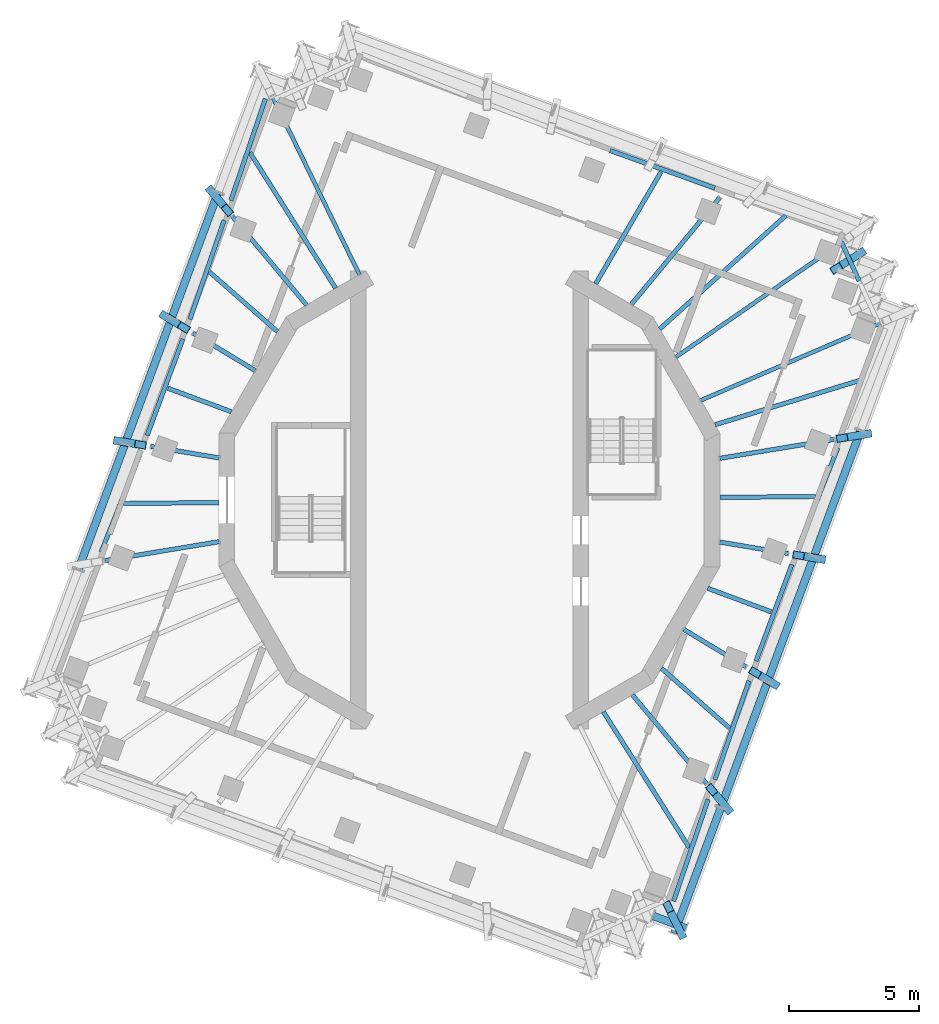
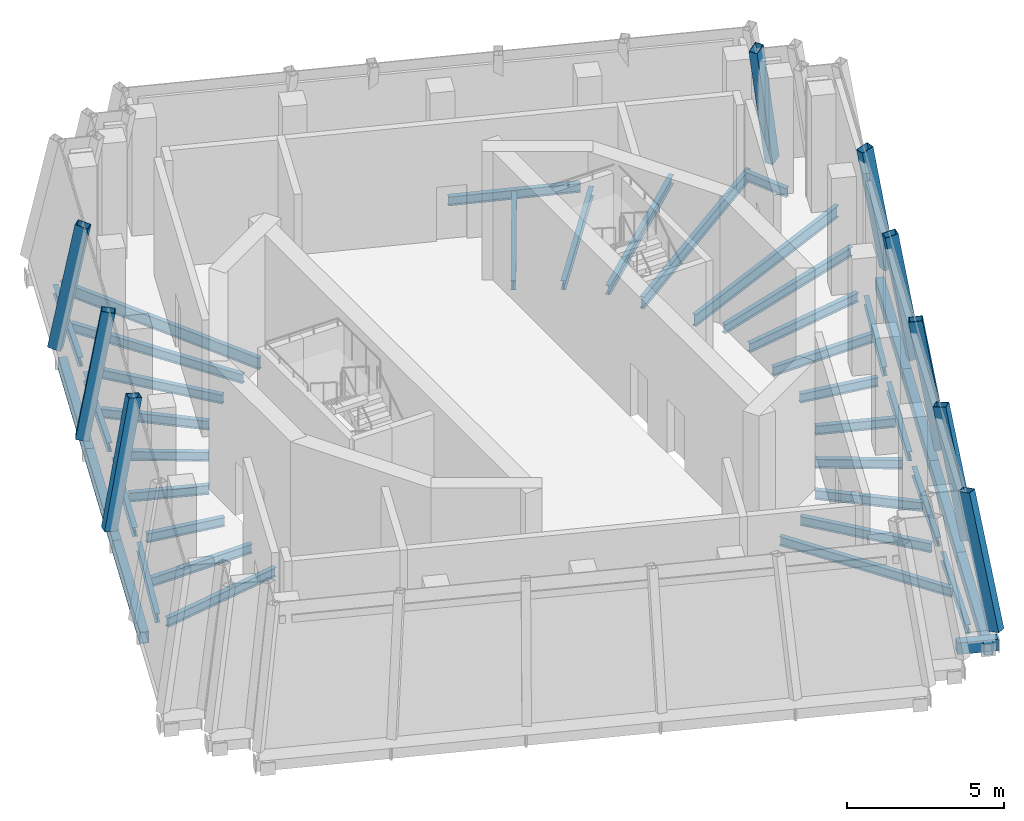
# One storey, part 2 of 13: 33 beams, 17 members, 10 elements without a shape of their own.
"""IFC4 building model written with IfcOpenShell, lengths in metres."""

from ifc_helpers import new_model, si_unit, direction, frame, origin, origin_2d, place, context, subcontext, project, spatial, hollow_rectangle, i_section, extrude, material, material_profile, profile_set, type_object, element, aggregate, save


model = new_model("IFC4")

# Units and contexts
model_context = context("Model", 3, precision=1e-05, world=origin(), true_north=direction((0.0, 1.0)))
body_context = subcontext(model_context, "Body", "Model", "MODEL_VIEW")
ifc_project = project(units=[si_unit("LENGTHUNIT", "METRE"), si_unit("AREAUNIT", "SQUARE_METRE"), si_unit("VOLUMEUNIT", "CUBIC_METRE"), si_unit("PLANEANGLEUNIT", "RADIAN"), si_unit("MASSUNIT", "GRAM", prefix="KILO")], contexts=[model_context])

# Site, building, storey
site_placement = place(None, origin())
site = spatial("IfcSite", under=ifc_project, at=site_placement, CompositionType="ELEMENT")
building_placement = place(site_placement, origin())
building = spatial("IfcBuilding", under=site, at=building_placement, Name="Cantera Rosa Tower", CompositionType="ELEMENT")
storey_placement = place(building_placement, frame((0.0, 0.0, 355.699951171875)))
storey = spatial("IfcBuildingStorey", under=building, at=storey_placement, Name="L80", CompositionType="ELEMENT", Elevation=355.699951171875)

# Curtain wall, member
ifc_material_1 = material(Name="Aluminium frame with clear glass", Category="aluminium")
curtain_wall_type = type_object("IfcCurtainWallType", Name="CW4 CROWN GLAZING", PredefinedType="NOTDEFINED", material=ifc_material_1)
curtain_wall_1_placement = place(storey_placement, origin())
curtain_wall_1 = element("IfcCurtainWall", 1, at=curtain_wall_1_placement, inside=storey, type_object=curtain_wall_type, Name="CW4 L80-11", PredefinedType="NOTDEFINED")
ifc_material_2 = material(Name="Steel S355J2 (EN 10025-2)", Category="steel")
ifc_material_profile_1 = material_profile(ifc_material_2, hollow_rectangle(XDim=0.300048828125, YDim=0.449951171875, WallThickness=0.01611328125, at=origin_2d()), Name="CROWN FRAME MULLION RHS 300x450x16")
ifc_profile_set_1 = profile_set([ifc_material_profile_1], Name="Steel S355J2 (EN 10025-2)")
member_type_1 = type_object("IfcMemberType", Name="CROWN FRAME MULLION RHS 300x450x16", PredefinedType="MULLION", material=ifc_profile_set_1)
member_1_placement = place(storey_placement, frame((-9.94873046875, 11.900634765625, 0.0), z_axis=(0.118528648195, -0.141754504764, 0.98278004657), x_axis=(0.767155870735, 0.641460731454, 0.0)))
member_1 = element("IfcMember", 2, at=member_1_placement, type_object=member_type_1, Name="CROWN FRAME rib L80-11", PredefinedType="MULLION", context=body_context, shape_type="SweptSolid", body=[
    extrude(hollow_rectangle(XDim=0.300048828125, YDim=0.449951171875, WallThickness=0.01611328125, at=origin_2d()), origin(), (0.0, 0.0, 1.0), 5.087646484375),
])

curtain_wall_2_placement = place(storey_placement, origin())
curtain_wall_2 = element("IfcCurtainWall", 3, at=curtain_wall_2_placement, inside=storey, type_object=curtain_wall_type, Name="CW4 L80-12", PredefinedType="NOTDEFINED")
member_2_placement = place(storey_placement, frame((-11.73291015625, 7.0859375, 0.0), z_axis=(0.140312636829, -0.084727060825, 0.986475386976), x_axis=(0.516913795704, 0.856037457014, 0.0)))
member_2 = element("IfcMember", 4, at=member_2_placement, type_object=member_type_1, Name="CROWN FRAME rib L80-12", PredefinedType="MULLION", context=body_context, shape_type="SweptSolid", body=[
    extrude(hollow_rectangle(XDim=0.300048828125, YDim=0.449951171875, WallThickness=0.01611328125, at=origin_2d()), origin(), (0.0, 0.0, 1.0), 5.068603515625),
])

curtain_wall_3_placement = place(storey_placement, origin())
curtain_wall_3 = element("IfcCurtainWall", 5, at=curtain_wall_3_placement, inside=storey, type_object=curtain_wall_type, Name="CW4 L80-13", PredefinedType="NOTDEFINED")
member_3_placement = place(storey_placement, frame((-13.51708984375, 2.27099609375, 0.0), z_axis=(0.161604027272, -0.027118648988, 0.986483004033), x_axis=(0.165495249079, 0.986210587315, 0.0)))
member_3 = element("IfcMember", 6, at=member_3_placement, type_object=member_type_1, Name="CROWN FRAME rib L80-13", PredefinedType="MULLION", context=body_context, shape_type="SweptSolid", body=[
    extrude(hollow_rectangle(XDim=0.300048828125, YDim=0.449951171875, WallThickness=0.01611328125, at=origin_2d()), origin(), (0.0, 0.0, 1.0), 5.068603515625),
])

curtain_wall_4_placement = place(storey_placement, origin())
curtain_wall_4 = element("IfcCurtainWall", 7, at=curtain_wall_4_placement, inside=storey, type_object=curtain_wall_type, Name="CW4 L80-28", PredefinedType="NOTDEFINED")
member_4_placement = place(storey_placement, frame((8.164306640625, -16.715576171875, 0.0), z_axis=(-0.096502718584, 0.19767338703, 0.975506256959), x_axis=(-0.898631049479, -0.438705182227, 0.0)))
member_4 = element("IfcMember", 8, at=member_4_placement, type_object=member_type_1, Name="CROWN FRAME rib L80-28", PredefinedType="MULLION", context=body_context, shape_type="SweptSolid", body=[
    extrude(hollow_rectangle(XDim=0.300048828125, YDim=0.449951171875, WallThickness=0.01611328125, at=origin_2d()), origin(), (0.0, 0.0, 1.0), 5.12548828125),
])

curtain_wall_5_placement = place(storey_placement, origin())
curtain_wall_5 = element("IfcCurtainWall", 9, at=curtain_wall_5_placement, inside=storey, type_object=curtain_wall_type, Name="CW4 L80-29", PredefinedType="NOTDEFINED")
member_5_placement = place(storey_placement, frame((9.94873046875, -11.900634765625, 0.0), z_axis=(-0.118528648195, 0.141754504764, 0.98278004657), x_axis=(-0.767155870735, -0.641460731454, 0.0)))
member_5 = element("IfcMember", 10, at=member_5_placement, type_object=member_type_1, Name="CROWN FRAME rib L80-29", PredefinedType="MULLION", context=body_context, shape_type="SweptSolid", body=[
    extrude(hollow_rectangle(XDim=0.300048828125, YDim=0.449951171875, WallThickness=0.01611328125, at=origin_2d()), origin(), (0.0, 0.0, 1.0), 5.087646484375),
])

curtain_wall_6_placement = place(storey_placement, origin())
curtain_wall_6 = element("IfcCurtainWall", 11, at=curtain_wall_6_placement, inside=storey, type_object=curtain_wall_type, Name="CW4 L80-30", PredefinedType="NOTDEFINED")
member_6_placement = place(storey_placement, frame((11.73291015625, -7.0859375, 0.0), z_axis=(-0.140312636829, 0.084727060825, 0.986475386976), x_axis=(-0.516913795704, -0.856037457014, 0.0)))
member_6 = element("IfcMember", 12, at=member_6_placement, type_object=member_type_1, Name="CROWN FRAME rib L80-30", PredefinedType="MULLION", context=body_context, shape_type="SweptSolid", body=[
    extrude(hollow_rectangle(XDim=0.300048828125, YDim=0.449951171875, WallThickness=0.01611328125, at=origin_2d()), origin(), (0.0, 0.0, 1.0), 5.068603515625),
])

curtain_wall_7_placement = place(storey_placement, origin())
curtain_wall_7 = element("IfcCurtainWall", 13, at=curtain_wall_7_placement, inside=storey, type_object=curtain_wall_type, Name="CW4 L80-31", PredefinedType="NOTDEFINED")
member_7_placement = place(storey_placement, frame((13.51708984375, -2.27099609375, 0.0), z_axis=(-0.161604027272, 0.027118648988, 0.986483004033), x_axis=(-0.165495249079, -0.986210587315, 0.0)))
member_7 = element("IfcMember", 14, at=member_7_placement, type_object=member_type_1, Name="CROWN FRAME rib L80-31", PredefinedType="MULLION", context=body_context, shape_type="SweptSolid", body=[
    extrude(hollow_rectangle(XDim=0.300048828125, YDim=0.449951171875, WallThickness=0.01611328125, at=origin_2d()), origin(), (0.0, 0.0, 1.0), 5.068603515625),
])

curtain_wall_8_placement = place(storey_placement, origin())
curtain_wall_8 = element("IfcCurtainWall", 15, at=curtain_wall_8_placement, inside=storey, type_object=curtain_wall_type, Name="CW4 L80-32", PredefinedType="NOTDEFINED")
member_8_placement = place(storey_placement, frame((15.30126953125, 2.543701171875, 0.0), z_axis=(-0.182256641938, -0.030280131928, 0.982784630568), x_axis=(0.163893533146, -0.986478033102, 0.0)))
member_8 = element("IfcMember", 16, at=member_8_placement, type_object=member_type_1, Name="CROWN FRAME rib L80-32", PredefinedType="MULLION", context=body_context, shape_type="SweptSolid", body=[
    extrude(hollow_rectangle(XDim=0.300048828125, YDim=0.449951171875, WallThickness=0.01611328125, at=origin_2d()), origin(), (0.0, 0.0, 1.0), 5.087646484375),
])
aggregate(curtain_wall_8, [member_8])

curtain_wall_9_placement = place(storey_placement, origin())
curtain_wall_9 = element("IfcCurtainWall", 17, at=curtain_wall_9_placement, inside=storey, type_object=curtain_wall_type, Name="CW4 L80-36", PredefinedType="NOTDEFINED")
member_9_placement = place(storey_placement, frame((15.06884765625, 9.513671875, 0.0), z_axis=(-0.178547268213, -0.11273152834, 0.977452032343), x_axis=(0.533873930699, -0.84556408753, 0.0)))
member_9 = element("IfcMember", 18, at=member_9_placement, type_object=member_type_1, Name="CROWN FRAME rib L80-36", PredefinedType="MULLION", context=body_context, shape_type="SweptSolid", body=[
    extrude(hollow_rectangle(XDim=0.300048828125, YDim=0.449951171875, WallThickness=0.01611328125, at=origin_2d()), origin(), (0.0, 0.0, 1.0), 5.115234375),
])
aggregate(curtain_wall_9, [member_9])

# Member
ifc_material_3 = material(Name="Steel S355J2 (EN 10025-2)", Category="steel")
ifc_material_profile_2 = material_profile(ifc_material_3, hollow_rectangle(XDim=0.300048828125, YDim=0.449951171875, WallThickness=0.01611328125, at=origin_2d()), Name="CROWN FRAME PURLIN RHS 300x450x16")
ifc_profile_set_2 = profile_set([ifc_material_profile_2], Name="Steel S355J2 (EN 10025-2)")
member_type_2 = type_object("IfcMemberType", Name="CROWN FRAME PURLIN RHS 300x450x16", PredefinedType="PURLIN", material=ifc_profile_set_2)
member_10_placement = place(storey_placement, frame((-9.699462890625, 11.869873046875, -0.675048828125), z_axis=(-0.347484963589, -0.937685555013, 0.0), x_axis=(0.937685555013, -0.347484963589, 0.0)))
member_10 = element("IfcMember", 19, at=member_10_placement, type_object=member_type_2, Name="CROWN FRAME purlin L80-11", PredefinedType="PURLIN", context=body_context, shape_type="SweptSolid", body=[
    extrude(hollow_rectangle(XDim=0.300048828125, YDim=0.449951171875, WallThickness=0.01611328125, at=origin_2d()), origin(), (0.0, 0.0, 1.0), 5.173095703125),
])

aggregate(curtain_wall_1, [member_1, member_10])

member_11_placement = place(storey_placement, frame((-11.4970703125, 7.01904296875, -0.675048828125), z_axis=(-0.347469587122, -0.937691253039, 0.0), x_axis=(0.937691253039, -0.347469587122, 0.0)))
member_11 = element("IfcMember", 20, at=member_11_placement, type_object=member_type_2, Name="CROWN FRAME purlin L80-12", PredefinedType="PURLIN", context=body_context, shape_type="SweptSolid", body=[
    extrude(hollow_rectangle(XDim=0.300048828125, YDim=0.449951171875, WallThickness=0.01611328125, at=origin_2d()), origin(), (0.0, 0.0, 1.0), 5.17333984375),
])

aggregate(curtain_wall_2, [member_2, member_11])

member_12_placement = place(storey_placement, frame((-13.294677734375, 2.16796875, -0.675048828125), z_axis=(-0.347484963589, -0.937685555013, 0.0), x_axis=(0.937685555013, -0.347484963589, 0.0)))
member_12 = element("IfcMember", 21, at=member_12_placement, type_object=member_type_2, Name="CROWN FRAME purlin L80-13", PredefinedType="PURLIN", context=body_context, shape_type="SweptSolid", body=[
    extrude(hollow_rectangle(XDim=0.300048828125, YDim=0.449951171875, WallThickness=0.01611328125, at=origin_2d()), origin(), (0.0, 0.0, 1.0), 5.173095703125),
])

aggregate(curtain_wall_3, [member_3, member_12])

# Curtain wall, member
curtain_wall_10_placement = place(storey_placement, origin())
curtain_wall_10 = element("IfcCurtainWall", 22, at=curtain_wall_10_placement, inside=storey, type_object=curtain_wall_type, Name="CW4 L80-27", PredefinedType="NOTDEFINED")
member_13_placement = place(storey_placement, frame((7.098876953125, -16.054931640625, -0.675048828125), z_axis=(0.937680097081, -0.34749969142, 0.0), x_axis=(0.34749969142, 0.937680097081, 0.0)))
member_13 = element("IfcMember", 23, at=member_13_placement, type_object=member_type_2, Name="CROWN FRAME purlin L80-27", PredefinedType="PURLIN", context=body_context, shape_type="SweptSolid", body=[
    extrude(hollow_rectangle(XDim=0.300048828125, YDim=0.449951171875, WallThickness=0.01611328125, at=origin_2d()), origin(), (0.0, 0.0, 1.0), 1.329833984375),
])
aggregate(curtain_wall_10, [member_13])

# Member
member_14_placement = place(storey_placement, frame((7.901611328125, -16.720947265625, -0.675048828125), z_axis=(0.34751107976, 0.937675876539, 0.0), x_axis=(-0.937675876539, 0.34751107976, 0.0)))
member_14 = element("IfcMember", 24, at=member_14_placement, type_object=member_type_2, Name="CROWN FRAME purlin L80-28", PredefinedType="PURLIN", context=body_context, shape_type="SweptSolid", body=[
    extrude(hollow_rectangle(XDim=0.300048828125, YDim=0.449951171875, WallThickness=0.01611328125, at=origin_2d()), origin(), (0.0, 0.0, 1.0), 5.173583984375),
])

aggregate(curtain_wall_4, [member_4, member_14])

member_15_placement = place(storey_placement, frame((9.699462890625, -11.869873046875, -0.675048828125), z_axis=(0.347484963589, 0.937685555013, 0.0), x_axis=(-0.937685555013, 0.347484963589, 0.0)))
member_15 = element("IfcMember", 25, at=member_15_placement, type_object=member_type_2, Name="CROWN FRAME purlin L80-29", PredefinedType="PURLIN", context=body_context, shape_type="SweptSolid", body=[
    extrude(hollow_rectangle(XDim=0.300048828125, YDim=0.449951171875, WallThickness=0.01611328125, at=origin_2d()), origin(), (0.0, 0.0, 1.0), 5.173095703125),
])

aggregate(curtain_wall_5, [member_5, member_15])

member_16_placement = place(storey_placement, frame((11.4970703125, -7.01904296875, -0.675048828125), z_axis=(0.347469587122, 0.937691253039, 0.0), x_axis=(-0.937691253039, 0.347469587122, 0.0)))
member_16 = element("IfcMember", 26, at=member_16_placement, type_object=member_type_2, Name="CROWN FRAME purlin L80-30", PredefinedType="PURLIN", context=body_context, shape_type="SweptSolid", body=[
    extrude(hollow_rectangle(XDim=0.300048828125, YDim=0.449951171875, WallThickness=0.01611328125, at=origin_2d()), origin(), (0.0, 0.0, 1.0), 5.17333984375),
])

aggregate(curtain_wall_6, [member_6, member_16])

member_17_placement = place(storey_placement, frame((13.294677734375, -2.16796875, -0.675048828125), z_axis=(0.347484963589, 0.937685555013, 0.0), x_axis=(-0.937685555013, 0.347484963589, 0.0)))
member_17 = element("IfcMember", 27, at=member_17_placement, type_object=member_type_2, Name="CROWN FRAME purlin L80-31", PredefinedType="PURLIN", context=body_context, shape_type="SweptSolid", body=[
    extrude(hollow_rectangle(XDim=0.300048828125, YDim=0.449951171875, WallThickness=0.01611328125, at=origin_2d()), origin(), (0.0, 0.0, 1.0), 5.173095703125),
])

aggregate(curtain_wall_7, [member_7, member_17])

# Beams
ifc_material_4 = material(Name="Steel ASTM A992 (Fy 345 MPa)", Category="steel")
ifc_material_profile_3 = material_profile(ifc_material_4, i_section(OverallWidth=0.1708984375, OverallDepth=0.35595703125, WebThickness=0.00732421875, FlangeThickness=0.01171875, FilletRadius=0.010009765625, at=origin_2d()), Name="W360X51")
ifc_profile_set_3 = profile_set([ifc_material_profile_3], Name="Steel ASTM A992 (Fy 345 MPa)")
beam_type_1 = type_object("IfcBeamType", Name="STEEL BEAM W360X51", PredefinedType="BEAM", material=ifc_profile_set_3)
beam_1_placement = place(storey_placement, frame((9.65576171875, 11.6689453125, -0.6279296875), z_axis=(-0.637500459339, -0.770449975237, 0.0), x_axis=(0.770449975237, -0.637500459339, 0.0)))
element("IfcBeam", 28, at=beam_1_placement, inside=storey, type_object=beam_type_1, Name="CG-Z6-02 L80", PredefinedType="BEAM", context=body_context, shape_type="SweptSolid", body=[
    extrude(i_section(OverallWidth=0.1708984375, OverallDepth=0.35595703125, WebThickness=0.00732421875, FlangeThickness=0.01171875, FilletRadius=0.010009765625, at=origin_2d()), origin(), (0.0, 0.0, 1.0), 5.349365234375),
])
beam_2_placement = place(storey_placement, frame((-9.14697265625, 10.941650390625, -0.6279296875), z_axis=(0.641379934556, -0.767223422185, 0.0), x_axis=(0.767223422185, 0.641379934556, 0.0)))
element("IfcBeam", 29, at=beam_2_placement, inside=storey, type_object=beam_type_1, Name="CG-Z6-04 L80", PredefinedType="BEAM", context=body_context, shape_type="SweptSolid", body=[
    extrude(i_section(OverallWidth=0.1708984375, OverallDepth=0.35595703125, WebThickness=0.00732421875, FlangeThickness=0.01171875, FilletRadius=0.010009765625, at=origin_2d()), origin(), (0.0, 0.0, 1.0), 4.456298828125),
])
beam_3_placement = place(storey_placement, frame((-10.662841796875, 6.439697265625, -0.6279296875), z_axis=(0.856009753906, -0.516959670785, 0.0), x_axis=(0.516959670785, 0.856009753906, 0.0)))
element("IfcBeam", 30, at=beam_3_placement, inside=storey, type_object=beam_type_1, Name="CG-Z6-05 L80", PredefinedType="BEAM", context=body_context, shape_type="SweptSolid", body=[
    extrude(i_section(OverallWidth=0.1708984375, OverallDepth=0.35595703125, WebThickness=0.00732421875, FlangeThickness=0.01171875, FilletRadius=0.010009765625, at=origin_2d()), origin(), (0.0, 0.0, 1.0), 2.79541015625),
])
beam_4_placement = place(storey_placement, frame((-12.284423828125, 2.06396484375, -0.6279296875), z_axis=(0.986172432725, -0.165722457541, 0.0), x_axis=(0.165722457541, 0.986172432725, 0.0)))
element("IfcBeam", 31, at=beam_4_placement, inside=storey, type_object=beam_type_1, Name="CG-Z6-06 L80", PredefinedType="BEAM", context=body_context, shape_type="SweptSolid", body=[
    extrude(i_section(OverallWidth=0.1708984375, OverallDepth=0.35595703125, WebThickness=0.00732421875, FlangeThickness=0.01171875, FilletRadius=0.010009765625, at=origin_2d()), origin(), (0.0, 0.0, 1.0), 2.662109375),
])
beam_5_placement = place(storey_placement, frame((-14.068359375, -2.3388671875, -0.6279296875), z_axis=(0.986455855934, 0.164026962091, 0.0), x_axis=(-0.164026962091, 0.986455855934, 0.0)))
element("IfcBeam", 32, at=beam_5_placement, inside=storey, type_object=beam_type_1, Name="CG-Z6-07 L80", PredefinedType="BEAM", context=body_context, shape_type="SweptSolid", body=[
    extrude(i_section(OverallWidth=0.1708984375, OverallDepth=0.35595703125, WebThickness=0.00732421875, FlangeThickness=0.01171875, FilletRadius=0.010009765625, at=origin_2d()), origin(), (0.0, 0.0, 1.0), 4.4697265625),
])
beam_6_placement = place(storey_placement, frame((9.14697265625, -10.941650390625, -0.6279296875), z_axis=(-0.641379934556, 0.767223422185, 0.0), x_axis=(-0.767223422185, -0.641379934556, 0.0)))
element("IfcBeam", 33, at=beam_6_placement, inside=storey, type_object=beam_type_1, Name="CG-Z6-12 L80", PredefinedType="BEAM", context=body_context, shape_type="SweptSolid", body=[
    extrude(i_section(OverallWidth=0.1708984375, OverallDepth=0.35595703125, WebThickness=0.00732421875, FlangeThickness=0.01171875, FilletRadius=0.010009765625, at=origin_2d()), origin(), (0.0, 0.0, 1.0), 4.456298828125),
])
beam_7_placement = place(storey_placement, frame((10.662841796875, -6.439697265625, -0.6279296875), z_axis=(-0.856009753906, 0.516959670785, 0.0), x_axis=(-0.516959670785, -0.856009753906, 0.0)))
element("IfcBeam", 34, at=beam_7_placement, inside=storey, type_object=beam_type_1, Name="CG-Z6-13 L80", PredefinedType="BEAM", context=body_context, shape_type="SweptSolid", body=[
    extrude(i_section(OverallWidth=0.1708984375, OverallDepth=0.35595703125, WebThickness=0.00732421875, FlangeThickness=0.01171875, FilletRadius=0.010009765625, at=origin_2d()), origin(), (0.0, 0.0, 1.0), 2.79541015625),
])
beam_8_placement = place(storey_placement, frame((12.284423828125, -2.06396484375, -0.6279296875), z_axis=(-0.986172432725, 0.165722457541, 0.0), x_axis=(-0.165722457541, -0.986172432725, 0.0)))
element("IfcBeam", 35, at=beam_8_placement, inside=storey, type_object=beam_type_1, Name="CG-Z6-14 L80", PredefinedType="BEAM", context=body_context, shape_type="SweptSolid", body=[
    extrude(i_section(OverallWidth=0.1708984375, OverallDepth=0.35595703125, WebThickness=0.00732421875, FlangeThickness=0.01171875, FilletRadius=0.010009765625, at=origin_2d()), origin(), (0.0, 0.0, 1.0), 2.662109375),
])
beam_9_placement = place(storey_placement, frame((14.068359375, 2.3388671875, -0.6279296875), z_axis=(-0.986455855934, -0.164026962091, 0.0), x_axis=(0.164026962091, -0.986455855934, 0.0)))
element("IfcBeam", 36, at=beam_9_placement, inside=storey, type_object=beam_type_1, Name="CG-Z6-15 L80", PredefinedType="BEAM", context=body_context, shape_type="SweptSolid", body=[
    extrude(i_section(OverallWidth=0.1708984375, OverallDepth=0.35595703125, WebThickness=0.00732421875, FlangeThickness=0.01171875, FilletRadius=0.010009765625, at=origin_2d()), origin(), (0.0, 0.0, 1.0), 4.4697265625),
])
beam_10_placement = place(storey_placement, frame((12.20751953125, 10.97509765625, -0.6279296875), z_axis=(-0.743650303421, -0.668568789446, 0.0), x_axis=(0.668568789446, -0.743650303421, 0.0)))
element("IfcBeam", 37, at=beam_10_placement, inside=storey, type_object=beam_type_1, Name="CB-Z6-01 L80", PredefinedType="BEAM", context=body_context, shape_type="SweptSolid", body=[
    extrude(i_section(OverallWidth=0.1708984375, OverallDepth=0.35595703125, WebThickness=0.00732421875, FlangeThickness=0.01171875, FilletRadius=0.010009765625, at=origin_2d()), origin(), (0.0, 0.0, 1.0), 6.54248046875),
])
beam_11_placement = place(storey_placement, frame((7.386962890625, 12.6572265625, -0.6279296875), z_axis=(-0.504044212368, -0.863677851967, 0.0), x_axis=(0.863677851967, -0.504044212368, 0.0)))
element("IfcBeam", 38, at=beam_11_placement, inside=storey, type_object=beam_type_1, Name="CB-Z6-02 L80", PredefinedType="BEAM", context=body_context, shape_type="SweptSolid", body=[
    extrude(i_section(OverallWidth=0.1708984375, OverallDepth=0.35595703125, WebThickness=0.00732421875, FlangeThickness=0.01171875, FilletRadius=0.010009765625, at=origin_2d()), origin(), (0.0, 0.0, 1.0), 4.99560546875),
])
beam_12_placement = place(storey_placement, frame((-8.479248046875, 13.41552734375, -0.6279296875), z_axis=(0.534283173665, -0.845305560338, 0.0), x_axis=(0.845305560338, 0.534283173665, 0.0)))
element("IfcBeam", 39, at=beam_12_placement, inside=storey, type_object=beam_type_1, Name="CB-Z6-03 L80", PredefinedType="BEAM", context=body_context, shape_type="SweptSolid", body=[
    extrude(i_section(OverallWidth=0.1708984375, OverallDepth=0.35595703125, WebThickness=0.00732421875, FlangeThickness=0.01171875, FilletRadius=0.010009765625, at=origin_2d()), origin(), (0.0, 0.0, 1.0), 6.20361328125),
])
beam_13_placement = place(storey_placement, frame((-10.039306640625, 8.80419921875, -0.6279296875), z_axis=(0.751851203762, -0.659332819904, 0.0), x_axis=(0.659332819904, 0.751851203762, 0.0)))
element("IfcBeam", 40, at=beam_13_placement, inside=storey, type_object=beam_type_1, Name="CB-Z6-04 L80", PredefinedType="BEAM", context=body_context, shape_type="SweptSolid", body=[
    extrude(i_section(OverallWidth=0.1708984375, OverallDepth=0.35595703125, WebThickness=0.00732421875, FlangeThickness=0.01171875, FilletRadius=0.010009765625, at=origin_2d()), origin(), (0.0, 0.0, 1.0), 3.50439453125),
])
beam_14_placement = place(storey_placement, frame((-11.637451171875, 4.3125, -0.6279296875), z_axis=(0.937696895147, -0.347454360789, 0.0), x_axis=(0.347454360789, 0.937696895147, 0.0)))
element("IfcBeam", 41, at=beam_14_placement, inside=storey, type_object=beam_type_1, Name="CB-Z6-05 L80", PredefinedType="BEAM", context=body_context, shape_type="SweptSolid", body=[
    extrude(i_section(OverallWidth=0.1708984375, OverallDepth=0.35595703125, WebThickness=0.00732421875, FlangeThickness=0.01171875, FilletRadius=0.010009765625, at=origin_2d()), origin(), (0.0, 0.0, 1.0), 2.612548828125),
])
beam_15_placement = place(storey_placement, frame((-13.352294921875, -0.135986328125, -0.6279296875), z_axis=(0.999948183023, 0.010179944482, 0.0), x_axis=(-0.010179944482, 0.999948183023, 0.0)))
element("IfcBeam", 42, at=beam_15_placement, inside=storey, type_object=beam_type_1, Name="CB-Z6-06 L80", PredefinedType="BEAM", context=body_context, shape_type="SweptSolid", body=[
    extrude(i_section(OverallWidth=0.1708984375, OverallDepth=0.35595703125, WebThickness=0.00732421875, FlangeThickness=0.01171875, FilletRadius=0.010009765625, at=origin_2d()), origin(), (0.0, 0.0, 1.0), 3.693359375),
])
beam_16_placement = place(storey_placement, frame((8.479248046875, -13.41552734375, -0.6279296875), z_axis=(-0.534283173665, 0.845305560338, 0.0), x_axis=(-0.845305560338, -0.534283173665, 0.0)))
element("IfcBeam", 43, at=beam_16_placement, inside=storey, type_object=beam_type_1, Name="CB-Z6-10 L80", PredefinedType="BEAM", context=body_context, shape_type="SweptSolid", body=[
    extrude(i_section(OverallWidth=0.1708984375, OverallDepth=0.35595703125, WebThickness=0.00732421875, FlangeThickness=0.01171875, FilletRadius=0.010009765625, at=origin_2d()), origin(), (0.0, 0.0, 1.0), 6.20361328125),
])
beam_17_placement = place(storey_placement, frame((10.039306640625, -8.80419921875, -0.6279296875), z_axis=(-0.751851203762, 0.659332819904, 0.0), x_axis=(-0.659332819904, -0.751851203762, 0.0)))
element("IfcBeam", 44, at=beam_17_placement, inside=storey, type_object=beam_type_1, Name="CB-Z6-11 L80", PredefinedType="BEAM", context=body_context, shape_type="SweptSolid", body=[
    extrude(i_section(OverallWidth=0.1708984375, OverallDepth=0.35595703125, WebThickness=0.00732421875, FlangeThickness=0.01171875, FilletRadius=0.010009765625, at=origin_2d()), origin(), (0.0, 0.0, 1.0), 3.50439453125),
])
beam_18_placement = place(storey_placement, frame((11.637451171875, -4.3125, -0.6279296875), z_axis=(-0.937696895147, 0.347454360789, 0.0), x_axis=(-0.347454360789, -0.937696895147, 0.0)))
element("IfcBeam", 45, at=beam_18_placement, inside=storey, type_object=beam_type_1, Name="CB-Z6-12 L80", PredefinedType="BEAM", context=body_context, shape_type="SweptSolid", body=[
    extrude(i_section(OverallWidth=0.1708984375, OverallDepth=0.35595703125, WebThickness=0.00732421875, FlangeThickness=0.01171875, FilletRadius=0.010009765625, at=origin_2d()), origin(), (0.0, 0.0, 1.0), 2.612548828125),
])
beam_19_placement = place(storey_placement, frame((13.352294921875, 0.135986328125, -0.6279296875), z_axis=(-0.999948183023, -0.010179944482, 0.0), x_axis=(0.010179944482, -0.999948183023, 0.0)))
element("IfcBeam", 46, at=beam_19_placement, inside=storey, type_object=beam_type_1, Name="CB-Z6-13 L80", PredefinedType="BEAM", context=body_context, shape_type="SweptSolid", body=[
    extrude(i_section(OverallWidth=0.1708984375, OverallDepth=0.35595703125, WebThickness=0.00732421875, FlangeThickness=0.01171875, FilletRadius=0.010009765625, at=origin_2d()), origin(), (0.0, 0.0, 1.0), 3.693359375),
])
beam_20_placement = place(storey_placement, frame((15.173828125, 4.650146484375, -0.6279296875), z_axis=(-0.956112380266, -0.293000198469, 0.0), x_axis=(0.293000198469, -0.956112380266, 0.0)))
element("IfcBeam", 47, at=beam_20_placement, inside=storey, type_object=beam_type_1, Name="CB-Z6-14 L80", PredefinedType="BEAM", context=body_context, shape_type="SweptSolid", body=[
    extrude(i_section(OverallWidth=0.1708984375, OverallDepth=0.35595703125, WebThickness=0.00732421875, FlangeThickness=0.01171875, FilletRadius=0.010009765625, at=origin_2d()), origin(), (0.0, 0.0, 1.0), 5.95849609375),
])
ifc_material_5 = material(Name="Steel ASTM A992 (Fy 345 MPa)", Category="steel")
ifc_material_profile_4 = material_profile(ifc_material_5, i_section(OverallWidth=0.154052734375, OverallDepth=0.4599609375, WebThickness=0.009033203125, FlangeThickness=0.015380859375, FilletRadius=0.01025390625, at=origin_2d()), Name="W460X68")
ifc_profile_set_4 = profile_set([ifc_material_profile_4], Name="Steel ASTM A992 (Fy 345 MPa)")
beam_type_2 = type_object("IfcBeamType", Name="STEEL BEAM W460X68", PredefinedType="BEAM", material=ifc_profile_set_4)
beam_21_placement = place(storey_placement, frame((14.499755859375, 10.039794921875, -0.679931640625), z_axis=(-0.822153468351, -0.569265908411, 0.0), x_axis=(0.569265908411, -0.822153468351, 0.0)))
element("IfcBeam", 48, at=beam_21_placement, inside=storey, type_object=beam_type_2, Name="CG-Z6-01 L80", PredefinedType="BEAM", context=body_context, shape_type="SweptSolid", body=[
    extrude(i_section(OverallWidth=0.154052734375, OverallDepth=0.4599609375, WebThickness=0.009033203125, FlangeThickness=0.015380859375, FilletRadius=0.01025390625, at=origin_2d()), origin(), (0.0, 0.0, 1.0), 7.9443359375),
])
beam_22_placement = place(storey_placement, frame((-7.61572265625, 15.59228515625, -0.679931640625), z_axis=(0.438867572679, -0.898551753462, 0.0), x_axis=(0.898551753462, 0.438867572679, 0.0)))
element("IfcBeam", 49, at=beam_22_placement, inside=storey, type_object=beam_type_2, Name="CG-Z6-03 L80", PredefinedType="BEAM", context=body_context, shape_type="SweptSolid", body=[
    extrude(i_section(OverallWidth=0.154052734375, OverallDepth=0.4599609375, WebThickness=0.009033203125, FlangeThickness=0.015380859375, FilletRadius=0.01025390625, at=origin_2d()), origin(), (0.0, 0.0, 1.0), 7.670166015625),
])
beam_23_placement = place(storey_placement, frame((15.9375, 6.8642578125, -0.679931640625), z_axis=(-0.918436590582, -0.395568235682, 0.0), x_axis=(0.395568235682, -0.918436590582, 0.0)))
element("IfcBeam", 50, at=beam_23_placement, inside=storey, type_object=beam_type_2, Name="CG-Z6-16 L80", PredefinedType="BEAM", context=body_context, shape_type="SweptSolid", body=[
    extrude(i_section(OverallWidth=0.154052734375, OverallDepth=0.4599609375, WebThickness=0.009033203125, FlangeThickness=0.015380859375, FilletRadius=0.01025390625, at=origin_2d()), origin(), (0.0, 0.0, 1.0), 7.627197265625),
])
ifc_material_6 = material(Name="Steel ASTM A992 (Fy 345 MPa)", Category="steel")
ifc_material_profile_5 = material_profile(ifc_material_6, i_section(OverallWidth=0.1708984375, OverallDepth=0.35595703125, WebThickness=0.00732421875, FlangeThickness=0.01171875, FilletRadius=0.010009765625, at=origin_2d()), Name="W360X51")
ifc_profile_set_5 = profile_set([ifc_material_profile_5], Name="Steel ASTM A992 (Fy 345 MPa)")
beam_type_3 = type_object("IfcBeamType", Name="STEEL SPANDREL BEAM W360X51", PredefinedType="SPANDREL", material=ifc_profile_set_5)
beam_24_placement = place(storey_placement, frame((9.470458984375, 12.03515625, -0.6279296875), z_axis=(-0.941253931525, 0.337699624501, 0.0), x_axis=(-0.337699624501, -0.941253931525, 0.0)))
element("IfcBeam", 51, at=beam_24_placement, inside=storey, type_object=beam_type_3, Name="CEB-Z6-02 L80", PredefinedType="SPANDREL", context=body_context, shape_type="SweptSolid", body=[
    extrude(i_section(OverallWidth=0.1708984375, OverallDepth=0.35595703125, WebThickness=0.00732421875, FlangeThickness=0.01171875, FilletRadius=0.010009765625, at=origin_2d()), origin(), (0.0, 0.0, 1.0), 4.298583984375),
])
beam_25_placement = place(storey_placement, frame((-7.8759765625, 15.483154296875, -0.6279296875), z_axis=(-0.32140837589, -0.94694068236, 0.0), x_axis=(0.94694068236, -0.32140837589, 0.0)))
element("IfcBeam", 52, at=beam_25_placement, inside=storey, type_object=beam_type_3, Name="CEB-Z6-07 L80", PredefinedType="SPANDREL", context=body_context, shape_type="SweptSolid", body=[
    extrude(i_section(OverallWidth=0.1708984375, OverallDepth=0.35595703125, WebThickness=0.00732421875, FlangeThickness=0.01171875, FilletRadius=0.010009765625, at=origin_2d()), origin(), (0.0, 0.0, 1.0), 4.15283203125),
])
beam_26_placement = place(storey_placement, frame((-9.469970703125, 10.793701171875, -0.6279296875), z_axis=(-0.326338744895, -0.945252888692, 0.0), x_axis=(0.945252888692, -0.326338744895, 0.0)))
element("IfcBeam", 53, at=beam_26_placement, inside=storey, type_object=beam_type_3, Name="CEB-Z6-08 L80", PredefinedType="SPANDREL", context=body_context, shape_type="SweptSolid", body=[
    extrude(i_section(OverallWidth=0.1708984375, OverallDepth=0.35595703125, WebThickness=0.00732421875, FlangeThickness=0.01171875, FilletRadius=0.010009765625, at=origin_2d()), origin(), (0.0, 0.0, 1.0), 4.0419921875),
])
beam_27_placement = place(storey_placement, frame((-11.05859375, 6.2197265625, -0.6279296875), z_axis=(-0.347476223041, -0.937688794015, 0.0), x_axis=(0.937688794015, -0.347476223041, 0.0)))
element("IfcBeam", 54, at=beam_27_placement, inside=storey, type_object=beam_type_3, Name="CEB-Z6-09 L80", PredefinedType="SPANDREL", context=body_context, shape_type="SweptSolid", body=[
    extrude(i_section(OverallWidth=0.1708984375, OverallDepth=0.35595703125, WebThickness=0.00732421875, FlangeThickness=0.01171875, FilletRadius=0.010009765625, at=origin_2d()), origin(), (0.0, 0.0, 1.0), 3.97900390625),
])
beam_28_placement = place(storey_placement, frame((-12.727783203125, 1.74169921875, -0.6279296875), z_axis=(-0.368379142813, -0.929675646201, 0.0), x_axis=(0.929675646201, -0.368379142813, 0.0)))
element("IfcBeam", 55, at=beam_28_placement, inside=storey, type_object=beam_type_3, Name="CEB-Z6-10 L80", PredefinedType="SPANDREL", context=body_context, shape_type="SweptSolid", body=[
    extrude(i_section(OverallWidth=0.1708984375, OverallDepth=0.35595703125, WebThickness=0.00732421875, FlangeThickness=0.01171875, FilletRadius=0.010009765625, at=origin_2d()), origin(), (0.0, 0.0, 1.0), 4.0419921875),
])
beam_29_placement = place(storey_placement, frame((7.8759765625, -15.483154296875, -0.6279296875), z_axis=(0.32140837589, 0.94694068236, 0.0), x_axis=(-0.94694068236, 0.32140837589, 0.0)))
element("IfcBeam", 56, at=beam_29_placement, inside=storey, type_object=beam_type_3, Name="CEB-Z6-20 L80", PredefinedType="SPANDREL", context=body_context, shape_type="SweptSolid", body=[
    extrude(i_section(OverallWidth=0.1708984375, OverallDepth=0.35595703125, WebThickness=0.00732421875, FlangeThickness=0.01171875, FilletRadius=0.010009765625, at=origin_2d()), origin(), (0.0, 0.0, 1.0), 4.15283203125),
])
beam_30_placement = place(storey_placement, frame((9.469970703125, -10.793701171875, -0.6279296875), z_axis=(0.326338744895, 0.945252888692, 0.0), x_axis=(-0.945252888692, 0.326338744895, 0.0)))
element("IfcBeam", 57, at=beam_30_placement, inside=storey, type_object=beam_type_3, Name="CEB-Z6-21 L80", PredefinedType="SPANDREL", context=body_context, shape_type="SweptSolid", body=[
    extrude(i_section(OverallWidth=0.1708984375, OverallDepth=0.35595703125, WebThickness=0.00732421875, FlangeThickness=0.01171875, FilletRadius=0.010009765625, at=origin_2d()), origin(), (0.0, 0.0, 1.0), 4.0419921875),
])
beam_31_placement = place(storey_placement, frame((11.05859375, -6.2197265625, -0.6279296875), z_axis=(0.347476223041, 0.937688794015, 0.0), x_axis=(-0.937688794015, 0.347476223041, 0.0)))
element("IfcBeam", 58, at=beam_31_placement, inside=storey, type_object=beam_type_3, Name="CEB-Z6-22 L80", PredefinedType="SPANDREL", context=body_context, shape_type="SweptSolid", body=[
    extrude(i_section(OverallWidth=0.1708984375, OverallDepth=0.35595703125, WebThickness=0.00732421875, FlangeThickness=0.01171875, FilletRadius=0.010009765625, at=origin_2d()), origin(), (0.0, 0.0, 1.0), 3.97900390625),
])
beam_32_placement = place(storey_placement, frame((12.727783203125, -1.74169921875, -0.6279296875), z_axis=(0.368379142813, 0.929675646201, 0.0), x_axis=(-0.929675646201, 0.368379142813, 0.0)))
element("IfcBeam", 59, at=beam_32_placement, inside=storey, type_object=beam_type_3, Name="CEB-Z6-23 L80", PredefinedType="SPANDREL", context=body_context, shape_type="SweptSolid", body=[
    extrude(i_section(OverallWidth=0.1708984375, OverallDepth=0.35595703125, WebThickness=0.00732421875, FlangeThickness=0.01171875, FilletRadius=0.010009765625, at=origin_2d()), origin(), (0.0, 0.0, 1.0), 4.0419921875),
])
beam_33_placement = place(storey_placement, frame((15.034912109375, 8.453125, -0.6279296875), z_axis=(-0.411323088388, 0.91148961429, 0.0), x_axis=(-0.91148961429, -0.411323088388, 0.0)))
element("IfcBeam", 60, at=beam_33_placement, inside=storey, type_object=beam_type_3, Name="CEB-Z6-26 L80", PredefinedType="SPANDREL", context=body_context, shape_type="SweptSolid", body=[
    extrude(i_section(OverallWidth=0.1708984375, OverallDepth=0.35595703125, WebThickness=0.00732421875, FlangeThickness=0.01171875, FilletRadius=0.010009765625, at=origin_2d()), origin(), (0.0, 0.0, 1.0), 1.66259765625),
])

save(model, "model.ifc")
